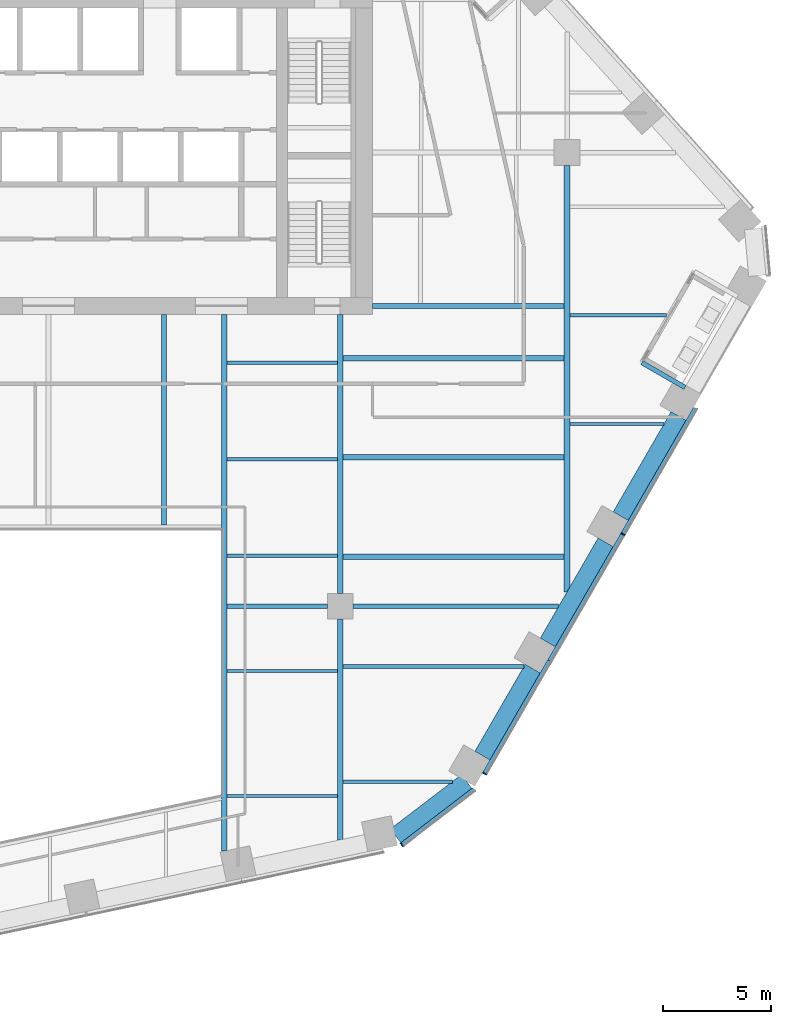
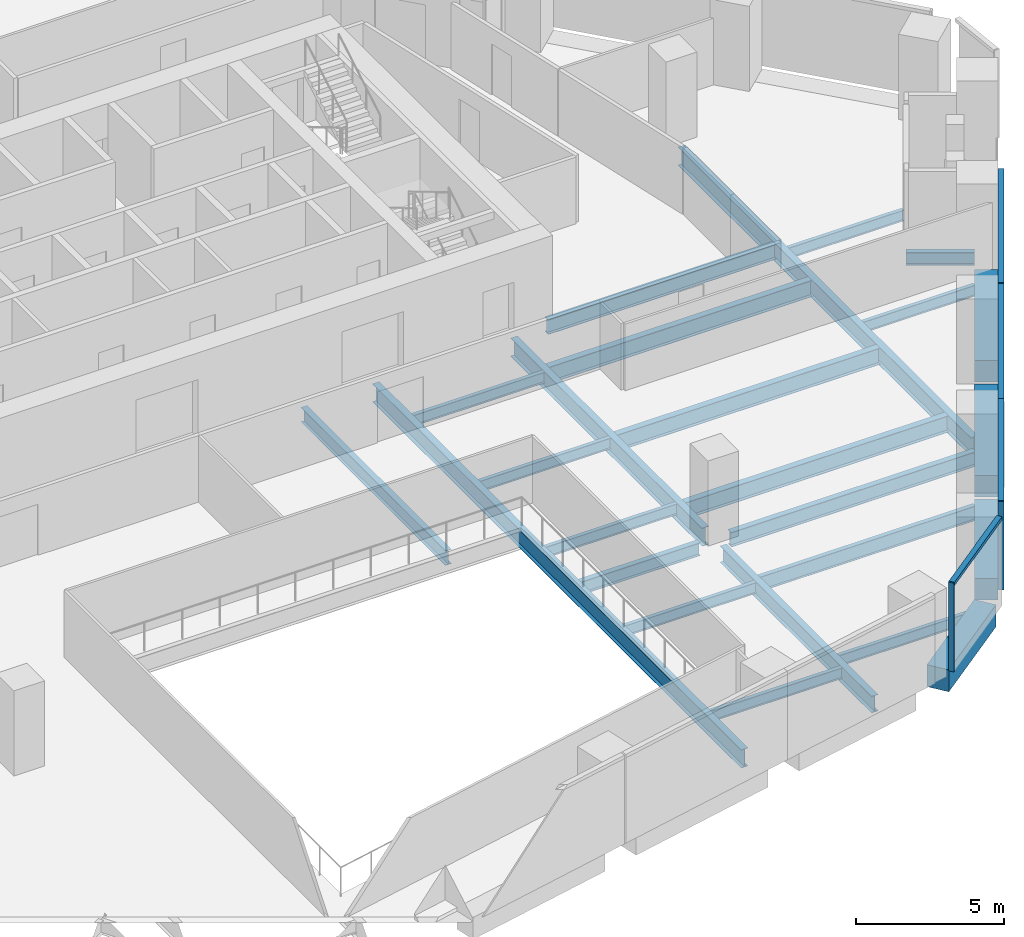
# One storey, part 6 of 26: 25 beams, 7 members, 2 elements without a shape of their own.
"""IFC4 building model written with IfcOpenShell, lengths in metres."""

from ifc_helpers import new_model, si_unit, direction, frame, origin, origin_2d, place, context, subcontext, project, spatial, rectangle, i_section, extrude, material, layer, layer_set, material_profile, profile_set, type_object, element, aggregate, save


model = new_model("IFC4")

# Units and contexts
model_context = context("Model", 3, precision=1e-05, world=origin(), true_north=direction((0.0, 1.0)))
body_context = subcontext(model_context, "Body", "Model", "MODEL_VIEW")
ifc_project = project(units=[si_unit("LENGTHUNIT", "METRE"), si_unit("AREAUNIT", "SQUARE_METRE"), si_unit("VOLUMEUNIT", "CUBIC_METRE"), si_unit("PLANEANGLEUNIT", "RADIAN"), si_unit("MASSUNIT", "GRAM", prefix="KILO")], contexts=[model_context])

# Site, building, storey
site_placement = place(None, origin())
site = spatial("IfcSite", under=ifc_project, at=site_placement, CompositionType="ELEMENT")
building_placement = place(site_placement, origin())
building = spatial("IfcBuilding", under=site, at=building_placement, Name="Isthmus Gate Tower", CompositionType="ELEMENT")
storey_placement = place(building_placement, frame((0.0, 0.0, 144.39990234375)))
storey = spatial("IfcBuildingStorey", under=building, at=storey_placement, Name="L35", CompositionType="ELEMENT", Elevation=144.39990234375)

# Curtain wall, member
ifc_material_1 = material(Name="Aluminium, pale champagne anodised", Category="aluminium")
ifc_layer = layer(ifc_material_1, 0.199951171875)
ifc_layer_set = layer_set([ifc_layer], Name="CW-1 UNITISED CURTAIN WALL 200 DEEP")
curtain_wall_type = type_object("IfcCurtainWallType", Name="CW-1 UNITISED CURTAIN WALL 200 DEEP", PredefinedType="NOTDEFINED", material=ifc_layer_set)
curtain_wall_1_placement = place(storey_placement, origin())
curtain_wall_1 = element("IfcCurtainWall", 1, at=curtain_wall_1_placement, inside=storey, type_object=curtain_wall_type, Name="CW-1 S-SE L35", PredefinedType="NOTDEFINED")
ifc_material_2 = material(Name="Aluminium, pale champagne anodised", Category="aluminium")
ifc_material_profile_1 = material_profile(ifc_material_2, rectangle(XDim=0.06005859375, YDim=0.199951171875, at=origin_2d()), Name="60x200")
ifc_profile_set_1 = profile_set([ifc_material_profile_1], Name="Aluminium, pale champagne anodised")
member_type_1 = type_object("IfcMemberType", Name="CW-1 MULLION 60 X 200", PredefinedType="MULLION", material=ifc_profile_set_1)
member_1_placement = place(storey_placement, frame((16.346435546875, -24.5419921875, 0.0), z_axis=(0.0, 0.0, 1.0), x_axis=(0.794188594387, 0.607671355706, 0.0)))
member_1 = element("IfcMember", 2, at=member_1_placement, type_object=member_type_1, Name="CW-1 mullion", PredefinedType="MULLION", context=body_context, shape_type="SweptSolid", body=[
    extrude(rectangle(XDim=0.06005859375, YDim=0.199951171875, at=origin_2d()), origin(), (0.0, 0.0, 1.0), 3.650146484375),
])

# Curtain wall, members
curtain_wall_2_placement = place(storey_placement, origin())
curtain_wall_2 = element("IfcCurtainWall", 3, at=curtain_wall_2_placement, inside=storey, type_object=curtain_wall_type, Name="CW-1 SE L35", PredefinedType="NOTDEFINED")
member_2_placement = place(storey_placement, frame((20.18115234375, -21.245361328125, 0.0), z_axis=(0.0, 0.0, 1.0), x_axis=(0.5, 0.866025403784, 0.0)))
member_2 = element("IfcMember", 4, at=member_2_placement, type_object=member_type_1, Name="CW-1 mullion", PredefinedType="MULLION", context=body_context, shape_type="SweptSolid", body=[
    extrude(rectangle(XDim=0.06005859375, YDim=0.199951171875, at=origin_2d()), origin(), (0.0, 0.0, 1.0), 3.650146484375),
])
member_3_placement = place(storey_placement, frame((26.5810546875, -10.16015625, 0.0), z_axis=(0.0, 0.0, 1.0), x_axis=(0.5, 0.866025403784, 0.0)))
member_3 = element("IfcMember", 5, at=member_3_placement, type_object=member_type_1, Name="CW-1 mullion", PredefinedType="MULLION", context=body_context, shape_type="SweptSolid", body=[
    extrude(rectangle(XDim=0.06005859375, YDim=0.199951171875, at=origin_2d()), origin(), (0.0, 0.0, 1.0), 3.650146484375),
])

# Member
ifc_material_3 = material(Name="Aluminium, pale champagne anodised", Category="aluminium")
ifc_material_profile_2 = material_profile(ifc_material_3, rectangle(XDim=0.199951171875, YDim=0.139892578125, at=origin_2d()), Name="200x140")
ifc_profile_set_2 = profile_set([ifc_material_profile_2], Name="Aluminium, pale champagne anodised")
member_type_2 = type_object("IfcMemberType", Name="CW-1 TRANSOM 200 X 140", PredefinedType="USERDEFINED", material=ifc_profile_set_2)
member_4_placement = place(storey_placement, frame((16.3701171875, -24.52392578125, 3.580078125), z_axis=(0.79419705805, 0.607660294066, 0.0), x_axis=(-0.607660294066, 0.79419705805, 0.0)))
member_4 = element("IfcMember", 6, at=member_4_placement, type_object=member_type_2, Name="CW-1 transom", ObjectType="TRANSOM", PredefinedType="USERDEFINED", context=body_context, shape_type="SweptSolid", body=[
    extrude(rectangle(XDim=0.199951171875, YDim=0.139892578125, at=origin_2d()), origin(), (0.0, 0.0, 1.0), 4.181640625),
])

aggregate(curtain_wall_1, [member_1, member_4])

member_5_placement = place(storey_placement, frame((20.196044921875, -21.219482421875, 3.580078125), z_axis=(0.499996458184, 0.866027448643, 0.0), x_axis=(-0.866027448643, 0.499996458184, 0.0)))
member_5 = element("IfcMember", 7, at=member_5_placement, type_object=member_type_2, Name="CW-1 transom", ObjectType="TRANSOM", PredefinedType="USERDEFINED", context=body_context, shape_type="SweptSolid", body=[
    extrude(rectangle(XDim=0.199951171875, YDim=0.139892578125, at=origin_2d()), origin(), (0.0, 0.0, 1.0), 5.990234375),
])

member_6_placement = place(storey_placement, frame((23.191162109375, -16.03173828125, 3.580078125), z_axis=(0.499997969693, 0.866026575979, 0.0), x_axis=(-0.866026575979, 0.499997969693, 0.0)))
member_6 = element("IfcMember", 8, at=member_6_placement, type_object=member_type_2, Name="CW-1 transom", ObjectType="TRANSOM", PredefinedType="USERDEFINED", context=body_context, shape_type="SweptSolid", body=[
    extrude(rectangle(XDim=0.199951171875, YDim=0.139892578125, at=origin_2d()), origin(), (0.0, 0.0, 1.0), 6.75),
])

member_7_placement = place(storey_placement, frame((26.59619140625, -10.134033203125, 3.580078125), z_axis=(0.499997283838, 0.866026971956, 0.0), x_axis=(-0.866026971956, 0.499997283838, 0.0)))
member_7 = element("IfcMember", 9, at=member_7_placement, type_object=member_type_2, Name="CW-1 transom", ObjectType="TRANSOM", PredefinedType="USERDEFINED", context=body_context, shape_type="SweptSolid", body=[
    extrude(rectangle(XDim=0.199951171875, YDim=0.139892578125, at=origin_2d()), origin(), (0.0, 0.0, 1.0), 6.68994140625),
])

aggregate(curtain_wall_2, [member_2, member_5, member_6, member_3, member_7])

# Beams
ifc_material_4 = material(Name="Concrete f'c 60 MPa", Category="concrete")
ifc_material_profile_3 = material_profile(ifc_material_4, rectangle(XDim=0.800048828125, YDim=0.89990234375, at=origin_2d()), Name="RC 800X900")
ifc_profile_set_3 = profile_set([ifc_material_profile_3], Name="Concrete f'c 60 MPa")
beam_type_1 = type_object("IfcBeamType", Name="RC SPANDREL 800 X 900", PredefinedType="SPANDREL", material=ifc_profile_set_3)
for number, where, z_axis, x_axis, name in (
    (10, (29.158203125, -4.696533203125, -0.449951171875), (-0.500001594578, -0.866024483152, 0.0), (0.866024483152, -0.500001594578, 0.0), "str-spandrel-L35-07"),
    (11, (25.783203125, -10.542236328125, -0.449951171875), (-0.500001594578, -0.866024483152, 0.0), (0.866024483152, -0.500001594578, 0.0), "str-spandrel-L35-08"),
):
    element("IfcBeam", number, at=place(storey_placement, frame(where, z_axis=z_axis, x_axis=x_axis)), inside=storey, type_object=beam_type_1, Name=name, PredefinedType="SPANDREL", context=body_context, shape_type="SweptSolid", body=[
        extrude(rectangle(XDim=0.800048828125, YDim=0.89990234375, at=origin_2d()), origin(), (0.0, 0.0, 1.0), 5.35009765625),
    ])
beam_1_placement = place(storey_placement, frame((22.408203125, -16.387939453125, -0.449951171875), z_axis=(-0.500001179632, -0.866024722723, 0.0), x_axis=(0.866024722723, -0.500001179632, 0.0)))
element("IfcBeam", 12, at=beam_1_placement, inside=storey, type_object=beam_type_1, Name="str-spandrel-L35-09", PredefinedType="SPANDREL", context=body_context, shape_type="SweptSolid", body=[
    extrude(rectangle(XDim=0.800048828125, YDim=0.89990234375, at=origin_2d()), origin(), (0.0, 0.0, 1.0), 4.650390625),
])
beam_2_placement = place(storey_placement, frame((19.354248046875, -21.611083984375, -0.449951171875), z_axis=(-0.794205941875, -0.607648682949, 0.0), x_axis=(0.607648682949, -0.794205941875, 0.0)))
element("IfcBeam", 13, at=beam_2_placement, inside=storey, type_object=beam_type_1, Name="str-spandrel-L35-10", PredefinedType="SPANDREL", context=body_context, shape_type="SweptSolid", body=[
    extrude(rectangle(XDim=0.800048828125, YDim=0.89990234375, at=origin_2d()), origin(), (0.0, 0.0, 1.0), 4.15234375),
])
ifc_material_5 = material(Name="Structural steel ASTM A992 Gr 50", Category="steel")
ifc_material_profile_4 = material_profile(ifc_material_5, i_section(OverallWidth=0.15234375, OverallDepth=0.45068359375, WebThickness=0.0078125, FlangeThickness=0.010986328125, at=origin_2d()), Name="W18X35")
ifc_profile_set_4 = profile_set([ifc_material_profile_4], Name="Structural steel ASTM A992 Gr 50")
beam_type_2 = type_object("IfcBeamType", Name="STEEL FLOOR BEAM W18X35", PredefinedType="JOIST", material=ifc_profile_set_4)
for number, where, z_axis, x_axis, name in (
    (14, (8.263427734375, -22.283203125, -0.375244140625), (1.0, 0.0, 0.0), (0.0, 1.0, 0.0), "str-beam-L35-12-00"),
    (15, (8.263427734375, -16.49755859375, -0.375244140625), (1.0, 0.0, 0.0), (0.0, 1.0, 0.0), "str-beam-L35-12-01"),
):
    element("IfcBeam", number, at=place(storey_placement, frame(where, z_axis=z_axis, x_axis=x_axis)), inside=storey, type_object=beam_type_2, Name=name, PredefinedType="JOIST", context=body_context, shape_type="SweptSolid", body=[
        extrude(i_section(OverallWidth=0.15234375, OverallDepth=0.45068359375, WebThickness=0.0078125, FlangeThickness=0.010986328125, at=origin_2d()), origin(), (0.0, 0.0, 1.0), 5.109619140625),
    ])
for number, where, z_axis, x_axis, name in (
    (16, (8.263427734375, -11.16259765625, -0.375244140625), (1.0, 0.0, 0.0), (0.0, 1.0, 0.0), "str-beam-L35-13-00"),
    (17, (8.263427734375, -6.697509765625, -0.375244140625), (1.0, 0.0, 0.0), (0.0, 1.0, 0.0), "str-beam-L35-13-01"),
    (18, (8.263427734375, -2.232421875, -0.375244140625), (1.0, 0.0, 0.0), (0.0, 1.0, 0.0), "str-beam-L35-13-02"),
):
    element("IfcBeam", number, at=place(storey_placement, frame(where, z_axis=z_axis, x_axis=x_axis)), inside=storey, type_object=beam_type_2, Name=name, PredefinedType="JOIST", context=body_context, shape_type="SweptSolid", body=[
        extrude(i_section(OverallWidth=0.15234375, OverallDepth=0.45068359375, WebThickness=0.0078125, FlangeThickness=0.010986328125, at=origin_2d()), origin(), (0.0, 0.0, 1.0), 5.104736328125),
    ])
beam_3_placement = place(storey_placement, frame((13.626953125, -21.61767578125, -0.375244140625), z_axis=(1.0, 0.0, 0.0), x_axis=(0.0, 1.0, 0.0)))
element("IfcBeam", 19, at=beam_3_placement, inside=storey, type_object=beam_type_2, Name="str-beam-L35-14-00", PredefinedType="JOIST", context=body_context, shape_type="SweptSolid", body=[
    extrude(i_section(OverallWidth=0.15234375, OverallDepth=0.45068359375, WebThickness=0.0078125, FlangeThickness=0.010986328125, at=origin_2d()), origin(), (0.0, 0.0, 1.0), 5.060302734375),
])
beam_4_placement = place(storey_placement, frame((24.13330078125, -5.0625, -0.375244140625), z_axis=(1.0, 0.0, 0.0), x_axis=(0.0, 1.0, 0.0)))
element("IfcBeam", 20, at=beam_4_placement, inside=storey, type_object=beam_type_2, Name="str-beam-L35-20-00", PredefinedType="JOIST", context=body_context, shape_type="SweptSolid", body=[
    extrude(i_section(OverallWidth=0.15234375, OverallDepth=0.45068359375, WebThickness=0.0078125, FlangeThickness=0.010986328125, at=origin_2d()), origin(), (0.0, 0.0, 1.0), 4.351806640625),
])
beam_5_placement = place(storey_placement, frame((24.13330078125, -0.037353515625, -0.375244140625), z_axis=(1.0, 0.0, 0.0), x_axis=(0.0, 1.0, 0.0)))
element("IfcBeam", 21, at=beam_5_placement, inside=storey, type_object=beam_type_2, Name="str-beam-L35-20-01", PredefinedType="JOIST", context=body_context, shape_type="SweptSolid", body=[
    extrude(i_section(OverallWidth=0.15234375, OverallDepth=0.45068359375, WebThickness=0.0078125, FlangeThickness=0.010986328125, at=origin_2d()), origin(), (0.0, 0.0, 1.0), 4.470703125),
])
ifc_material_6 = material(Name="Structural steel ASTM A992 Gr 50", Category="steel")
ifc_material_profile_5 = material_profile(ifc_material_6, i_section(OverallWidth=0.177734375, OverallDepth=0.60009765625, WebThickness=0.009521484375, FlangeThickness=0.0126953125, at=origin_2d()), Name="W24X55")
ifc_profile_set_5 = profile_set([ifc_material_profile_5], Name="Structural steel ASTM A992 Gr 50")
beam_type_3 = type_object("IfcBeamType", Name="STEEL FLOOR BEAM W24X55", PredefinedType="JOIST", material=ifc_profile_set_5)
beam_6_placement = place(storey_placement, frame((13.626953125, -16.2822265625, -0.449951171875), z_axis=(1.0, 0.0, 0.0), x_axis=(0.0, 1.0, 0.0)))
element("IfcBeam", 22, at=beam_6_placement, inside=storey, type_object=beam_type_3, Name="str-beam-L35-14-01", PredefinedType="JOIST", context=body_context, shape_type="SweptSolid", body=[
    extrude(i_section(OverallWidth=0.177734375, OverallDepth=0.60009765625, WebThickness=0.009521484375, FlangeThickness=0.0126953125, at=origin_2d()), origin(), (0.0, 0.0, 1.0), 8.38037109375),
])
ifc_material_7 = material(Name="Structural steel ASTM A992 Gr 50", Category="steel")
ifc_material_profile_6 = material_profile(ifc_material_7, i_section(OverallWidth=0.228515625, OverallDepth=0.603271484375, WebThickness=0.010986328125, FlangeThickness=0.014404296875, at=origin_2d()), Name="W24X68")
ifc_profile_set_6 = profile_set([ifc_material_profile_6], Name="Structural steel ASTM A992 Gr 50")
beam_type_4 = type_object("IfcBeamType", Name="STEEL FLOOR BEAM W24X68", PredefinedType="JOIST", material=ifc_profile_set_6)
beam_7_placement = place(storey_placement, frame((5.333251953125, -9.7333984375, -0.451416015625), z_axis=(0.0, 1.0, 0.0), x_axis=(-1.0, 0.0, 0.0)))
element("IfcBeam", 23, at=beam_7_placement, inside=storey, type_object=beam_type_4, Name="str-beam-L35-09-02", PredefinedType="JOIST", context=body_context, shape_type="SweptSolid", body=[
    extrude(i_section(OverallWidth=0.228515625, OverallDepth=0.603271484375, WebThickness=0.010986328125, FlangeThickness=0.014404296875, at=origin_2d()), origin(), (0.0, 0.0, 1.0), 9.7333984375),
])
ifc_material_8 = material(Name="Structural steel ASTM A992 Gr 50", Category="steel")
ifc_material_profile_7 = material_profile(ifc_material_8, i_section(OverallWidth=0.25390625, OverallDepth=0.679443359375, WebThickness=0.010986328125, FlangeThickness=0.015869140625, at=origin_2d()), Name="W27X84")
ifc_profile_set_7 = profile_set([ifc_material_profile_7], Name="Structural steel ASTM A992 Gr 50")
beam_type_5 = type_object("IfcBeamType", Name="STEEL FLOOR BEAM W27X84", PredefinedType="JOIST", material=ifc_profile_set_7)
for number, where, z_axis, x_axis, name in (
    (24, (13.6318359375, -11.202392578125, -0.489501953125), (1.0, 0.0, 0.0), (0.0, 1.0, 0.0), "str-beam-L35-15-00"),
    (25, (13.6318359375, -6.607177734375, -0.489501953125), (1.0, 0.0, 0.0), (0.0, 1.0, 0.0), "str-beam-L35-15-01"),
    (26, (13.6318359375, -2.011962890625, -0.489501953125), (1.0, 0.0, 0.0), (0.0, 1.0, 0.0), "str-beam-L35-15-02"),
):
    element("IfcBeam", number, at=place(storey_placement, frame(where, z_axis=z_axis, x_axis=x_axis)), inside=storey, type_object=beam_type_5, Name=name, PredefinedType="JOIST", context=body_context, shape_type="SweptSolid", body=[
        extrude(i_section(OverallWidth=0.25390625, OverallDepth=0.679443359375, WebThickness=0.010986328125, FlangeThickness=0.015869140625, at=origin_2d()), origin(), (0.0, 0.0, 1.0), 10.23486328125),
    ])
ifc_material_9 = material(Name="Structural steel ASTM A992 Gr 50", Category="steel")
ifc_material_profile_8 = material_profile(ifc_material_9, i_section(OverallWidth=0.20947265625, OverallDepth=0.533447265625, WebThickness=0.009521484375, FlangeThickness=0.015869140625, at=origin_2d()), Name="W21X62")
ifc_profile_set_8 = profile_set([ifc_material_profile_8], Name="Structural steel ASTM A992 Gr 50")
beam_type_6 = type_object("IfcBeamType", Name="STEEL GIRDER W21X62", PredefinedType="BEAM", material=ifc_profile_set_8)
beam_8_placement = place(storey_placement, frame((8.263427734375, -13.5, -0.41650390625), z_axis=(1.0, 0.0, 0.0), x_axis=(0.0, 1.0, 0.0)))
element("IfcBeam", 27, at=beam_8_placement, inside=storey, type_object=beam_type_6, Name="str-girder-L35-03", PredefinedType="BEAM", context=body_context, shape_type="SweptSolid", body=[
    extrude(i_section(OverallWidth=0.20947265625, OverallDepth=0.533447265625, WebThickness=0.009521484375, FlangeThickness=0.015869140625, at=origin_2d()), origin(), (0.0, 0.0, 1.0), 4.636474609375),
])
ifc_material_10 = material(Name="Structural steel ASTM A992 Gr 50", Category="steel")
ifc_material_profile_9 = material_profile(ifc_material_10, i_section(OverallWidth=0.228515625, OverallDepth=0.6064453125, WebThickness=0.010986328125, FlangeThickness=0.017578125, at=origin_2d()), Name="W24X76")
ifc_profile_set_9 = profile_set([ifc_material_profile_9], Name="Structural steel ASTM A992 Gr 50")
beam_type_7 = type_object("IfcBeamType", Name="STEEL GIRDER W24X76", PredefinedType="BEAM", material=ifc_profile_set_9)
beam_9_placement = place(storey_placement, frame((14.10009765625, -13.5, -0.453125), z_axis=(1.0, 0.0, 0.0), x_axis=(0.0, 1.0, 0.0)))
element("IfcBeam", 28, at=beam_9_placement, inside=storey, type_object=beam_type_7, Name="str-girder-L35-04", PredefinedType="BEAM", context=body_context, shape_type="SweptSolid", body=[
    extrude(i_section(OverallWidth=0.228515625, OverallDepth=0.6064453125, WebThickness=0.010986328125, FlangeThickness=0.017578125, at=origin_2d()), origin(), (0.0, 0.0, 1.0), 9.513427734375),
])
beam_10_placement = place(storey_placement, frame((15.0, 0.39990234375, -0.453125), z_axis=(1.0, 0.0, 0.0), x_axis=(0.0, 1.0, 0.0)))
element("IfcBeam", 29, at=beam_10_placement, inside=storey, type_object=beam_type_7, Name="str-girder-L35-14", PredefinedType="BEAM", context=body_context, shape_type="SweptSolid", body=[
    extrude(i_section(OverallWidth=0.228515625, OverallDepth=0.6064453125, WebThickness=0.010986328125, FlangeThickness=0.017578125, at=origin_2d()), origin(), (0.0, 0.0, 1.0), 8.86669921875),
])
ifc_material_11 = material(Name="Structural steel ASTM A992 Gr 50", Category="steel")
ifc_material_profile_10 = material_profile(ifc_material_11, i_section(OverallWidth=0.25390625, OverallDepth=0.679443359375, WebThickness=0.010986328125, FlangeThickness=0.015869140625, at=origin_2d()), Name="W27X84")
ifc_profile_set_10 = profile_set([ifc_material_profile_10], Name="Structural steel ASTM A992 Gr 50")
beam_type_8 = type_object("IfcBeamType", Name="STEEL GIRDER W27X84", PredefinedType="BEAM", material=ifc_profile_set_10)
beam_11_placement = place(storey_placement, frame((13.5, -24.3125, -0.489501953125), z_axis=(0.0, 1.0, 0.0), x_axis=(-1.0, 0.0, 0.0)))
element("IfcBeam", 30, at=beam_11_placement, inside=storey, type_object=beam_type_8, Name="str-girder-L35-09", PredefinedType="BEAM", context=body_context, shape_type="SweptSolid", body=[
    extrude(i_section(OverallWidth=0.25390625, OverallDepth=0.679443359375, WebThickness=0.010986328125, FlangeThickness=0.015869140625, at=origin_2d()), origin(), (0.0, 0.0, 1.0), 10.21240234375),
])
ifc_material_12 = material(Name="Structural steel ASTM A992 Gr 50", Category="steel")
ifc_material_profile_11 = material_profile(ifc_material_12, i_section(OverallWidth=0.2666015625, OverallDepth=0.7587890625, WebThickness=0.014404296875, FlangeThickness=0.01904296875, at=origin_2d()), Name="W30X108")
ifc_profile_set_11 = profile_set([ifc_material_profile_11], Name="Structural steel ASTM A992 Gr 50")
beam_type_9 = type_object("IfcBeamType", Name="STEEL GIRDER W30X108", PredefinedType="BEAM", material=ifc_profile_set_11)
beam_12_placement = place(storey_placement, frame((24.0, -12.830810546875, -0.529296875), z_axis=(0.0, 1.0, 0.0), x_axis=(-1.0, 0.0, 0.0)))
element("IfcBeam", 31, at=beam_12_placement, inside=storey, type_object=beam_type_9, Name="str-girder-L35-11", PredefinedType="BEAM", context=body_context, shape_type="SweptSolid", body=[
    extrude(i_section(OverallWidth=0.2666015625, OverallDepth=0.7587890625, WebThickness=0.014404296875, FlangeThickness=0.01904296875, at=origin_2d()), origin(), (0.0, 0.0, 1.0), 19.730712890625),
])
ifc_material_13 = material(Name="Structural steel ASTM A992 Gr 50", Category="steel")
ifc_material_profile_12 = material_profile(ifc_material_13, i_section(OverallWidth=0.263427734375, OverallDepth=0.749267578125, WebThickness=0.0126953125, FlangeThickness=0.015869140625, at=origin_2d()), Name="W30X90")
ifc_profile_set_12 = profile_set([ifc_material_profile_12], Name="Structural steel ASTM A992 Gr 50")
beam_type_10 = type_object("IfcBeamType", Name="STEEL GIRDER W30X90", PredefinedType="BEAM", material=ifc_profile_set_12)
beam_13_placement = place(storey_placement, frame((13.5, -12.89990234375, -0.524658203125), z_axis=(0.0, 1.0, 0.0), x_axis=(-1.0, 0.0, 0.0)))
element("IfcBeam", 32, at=beam_13_placement, inside=storey, type_object=beam_type_10, Name="str-girder-L35-10", PredefinedType="BEAM", context=body_context, shape_type="SweptSolid", body=[
    extrude(i_section(OverallWidth=0.263427734375, OverallDepth=0.749267578125, WebThickness=0.0126953125, FlangeThickness=0.015869140625, at=origin_2d()), origin(), (0.0, 0.0, 1.0), 12.89990234375),
])
ifc_material_14 = material(Name="Structural steel ASTM A992 Gr 50", Category="steel")
ifc_material_profile_13 = material_profile(ifc_material_14, i_section(OverallWidth=0.20947265625, OverallDepth=0.533447265625, WebThickness=0.009521484375, FlangeThickness=0.015869140625, at=origin_2d()), Name="W21X62")
ifc_profile_set_13 = profile_set([ifc_material_profile_13], Name="Structural steel ASTM A992 Gr 50")
beam_type_11 = type_object("IfcBeamType", Name="STEEL TRIMMER W21X62", PredefinedType="BEAM", material=ifc_profile_set_13)
beam_14_placement = place(storey_placement, frame((29.45947265625, -3.374755859375, -0.41650390625), z_axis=(-0.866044474677, 0.49996696679, 0.0), x_axis=(-0.49996696679, -0.866044474677, 0.0)))
element("IfcBeam", 33, at=beam_14_placement, inside=storey, type_object=beam_type_11, Name="str-loggiatrim-L35-04-A", PredefinedType="BEAM", context=body_context, shape_type="SweptSolid", body=[
    extrude(i_section(OverallWidth=0.20947265625, OverallDepth=0.533447265625, WebThickness=0.009521484375, FlangeThickness=0.015869140625, at=origin_2d()), origin(), (0.0, 0.0, 1.0), 2.304931640625),
])
ifc_material_15 = material(Name="Structural steel ASTM A992 Gr 50", Category="steel")
ifc_material_profile_14 = material_profile(ifc_material_15, i_section(OverallWidth=0.263427734375, OverallDepth=0.749267578125, WebThickness=0.0126953125, FlangeThickness=0.015869140625, at=origin_2d()), Name="W30X90")
ifc_profile_set_14 = profile_set([ifc_material_profile_14], Name="Structural steel ASTM A992 Gr 50")
beam_type_12 = type_object("IfcBeamType", Name="STEEL TRIMMER W30X90", PredefinedType="BEAM", material=ifc_profile_set_14)
beam_15_placement = place(storey_placement, frame((8.1318359375, -24.84033203125, -0.524658203125), z_axis=(0.0, 1.0, 0.0), x_axis=(-1.0, 0.0, 0.0)))
element("IfcBeam", 34, at=beam_15_placement, inside=storey, type_object=beam_type_12, Name="str-trimmer-L35-01", PredefinedType="BEAM", context=body_context, shape_type="SweptSolid", body=[
    extrude(i_section(OverallWidth=0.263427734375, OverallDepth=0.749267578125, WebThickness=0.0126953125, FlangeThickness=0.015869140625, at=origin_2d()), origin(), (0.0, 0.0, 1.0), 24.84033203125),
])

save(model, "model.ifc")
